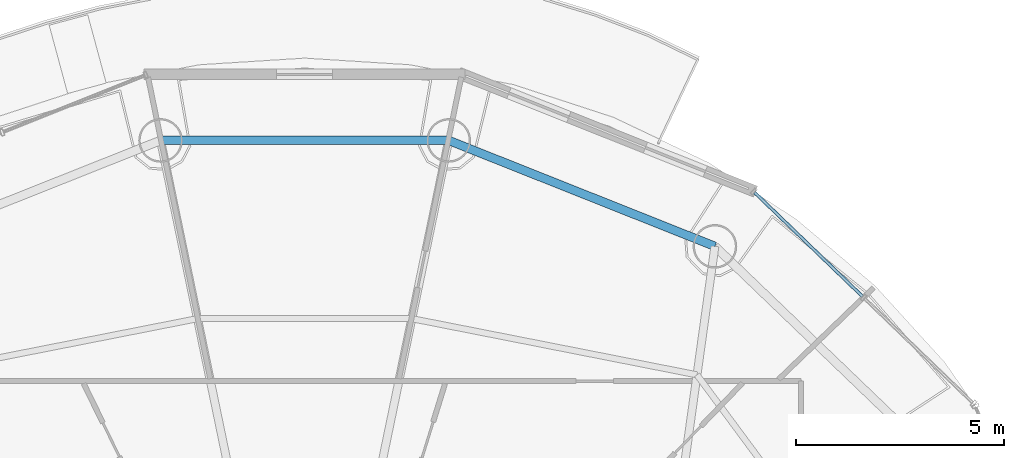
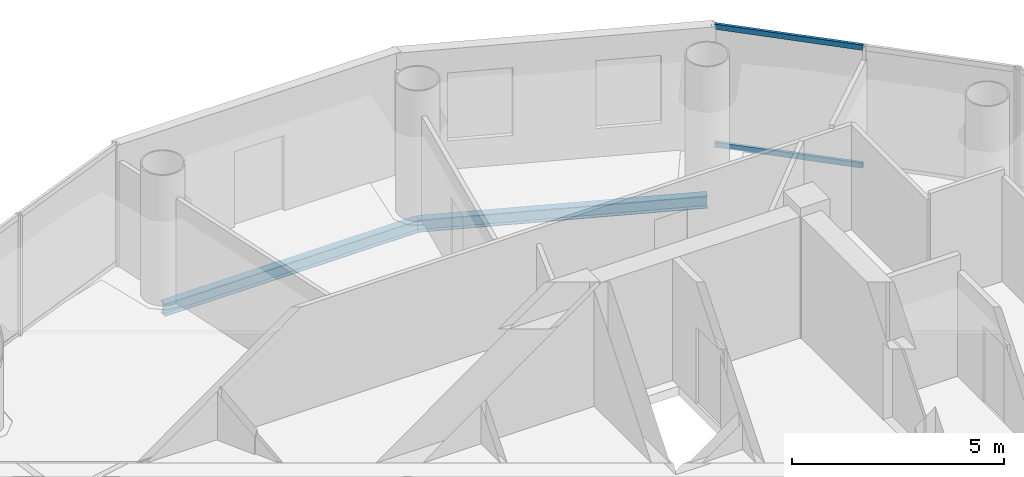
# One storey, part 15 of 24: 2 beams, 2 members, 1 element without a shape of its own.
"""IFC4 building model written with IfcOpenShell, lengths in metres."""

from ifc_helpers import new_model, si_unit, direction, frame, origin, origin_2d, place, context, subcontext, project, spatial, hollow_rectangle, i_section, extrude, source, transform, mapped, material, material_profile, profile_set, type_object, element, aggregate, save


model = new_model("IFC4")

# Units and contexts
model_context = context("Model", 3, precision=1e-05, world=origin(), true_north=direction((-0.2419218956, 0.970295726276)))
body_context = subcontext(model_context, "Body", "Model", "MODEL_VIEW")
ifc_project = project(units=[si_unit("LENGTHUNIT", "METRE"), si_unit("AREAUNIT", "SQUARE_METRE"), si_unit("VOLUMEUNIT", "CUBIC_METRE"), si_unit("PLANEANGLEUNIT", "RADIAN"), si_unit("MASSUNIT", "GRAM", prefix="KILO")], contexts=[model_context])

# Site, building, storey
site_placement = place(None, origin())
site = spatial("IfcSite", under=ifc_project, at=site_placement, CompositionType="ELEMENT")
building_placement = place(site_placement, origin())
building = spatial("IfcBuilding", under=site, at=building_placement, Name="Cobrevalo Terracotta Tower", CompositionType="ELEMENT")
storey_placement = place(building_placement, frame((0.0, 0.0, 270.699951171875)))
storey = spatial("IfcBuildingStorey", under=building, at=storey_placement, Name="L71", CompositionType="ELEMENT", Elevation=270.699951171875)

# Beams
ifc_material_1 = material(Name="Steel S355", Category="steel")
ifc_material_profile_1 = material_profile(ifc_material_1, i_section(OverallWidth=0.205078125, OverallDepth=0.35400390625, WebThickness=0.009521484375, FlangeThickness=0.016845703125, at=origin_2d()), Name="W 360x79")
ifc_profile_set_1 = profile_set([ifc_material_profile_1], Name="Steel S355")
beam_type = type_object("IfcBeamType", Name="Structural Spandrel W 360x79 (Steel S355)", PredefinedType="SPANDREL", material=ifc_profile_set_1)
beam_1_placement = place(storey_placement, frame((47.861328125, 40.9765625, -0.43701171875), z_axis=(-0.929149986048, 0.369702993533, 0.0), x_axis=(-0.369702993533, -0.929149986048, 0.0)))
element("IfcBeam", 1, at=beam_1_placement, inside=storey, type_object=beam_type, Name="L71 perimeter ring spandrel 03", PredefinedType="SPANDREL", context=body_context, shape_type="SweptSolid", body=[
    extrude(i_section(OverallWidth=0.205078125, OverallDepth=0.35400390625, WebThickness=0.009521484375, FlangeThickness=0.016845703125, at=origin_2d()), origin(), (0.0, 0.0, 1.0), 6.88623046875),
])
beam_2_placement = place(storey_placement, frame((41.462890625, 43.5224609375, -0.43701171875), z_axis=(-1.0, 0.0, 0.0), x_axis=(0.0, -1.0, 0.0)))
element("IfcBeam", 2, at=beam_2_placement, inside=storey, type_object=beam_type, Name="L71 perimeter ring spandrel 04", PredefinedType="SPANDREL", context=body_context, shape_type="SweptSolid", body=[
    extrude(i_section(OverallWidth=0.205078125, OverallDepth=0.35400390625, WebThickness=0.009521484375, FlangeThickness=0.016845703125, at=origin_2d()), origin(), (0.0, 0.0, 1.0), 6.92578125),
])

# Curtain wall, members
ifc_material_2 = material(Name="Anodized aluminium", Category="aluminium")
curtain_wall_type = type_object("IfcCurtainWallType", Name="Upper-tower triple-glazed penthouse curtain wall CW-U3", PredefinedType="NOTDEFINED", material=ifc_material_2)
curtain_wall_placement = place(storey_placement, origin())
curtain_wall = element("IfcCurtainWall", 3, at=curtain_wall_placement, inside=storey, type_object=curtain_wall_type, Name="L71 curtain wall CW-L71-S02", PredefinedType="NOTDEFINED")
ifc_material_profile_2 = material_profile(ifc_material_2, hollow_rectangle(XDim=0.074951171875, YDim=0.14990234375, WallThickness=0.00439453125, at=origin_2d()), Name="CWT 75x150")
ifc_profile_set_2 = profile_set([ifc_material_profile_2], Name="Anodized aluminium")
member_type = type_object("IfcMemberType", Name="Tower unitised aluminium transom 75x150", PredefinedType="USERDEFINED", material=ifc_profile_set_2)
shared_shape = source(origin(), body_context, "Body", "SweptSolid", [
    extrude(hollow_rectangle(XDim=0.074951171875, YDim=0.14990234375, WallThickness=0.00439453125, at=origin_2d()), origin(), (0.0, 0.0, 1.0), 3.59130859375),
])
member_1_placement = place(storey_placement, frame((51.40478515625, 39.77587890625, 0.050048828125), z_axis=(-0.720005628362, 0.693968223427, 0.0), x_axis=(-0.693968223427, -0.720005628362, 0.0)))
member_1 = element("IfcMember", 4, at=member_1_placement, type_object=member_type, Name="CW-L71-S02 transom B02-T1", ObjectType="TRANSOM", PredefinedType="USERDEFINED", context=body_context, shape_type="MappedRepresentation", body=[
    mapped(shared_shape, transform((0.0, 0.0, 0.0), scale=1.0)),
])
member_2_placement = place(storey_placement, frame((51.40478515625, 39.77587890625, 3.43994140625), z_axis=(-0.720005628362, 0.693968223427, 0.0), x_axis=(-0.693968223427, -0.720005628362, 0.0)))
member_2 = element("IfcMember", 5, at=member_2_placement, type_object=member_type, Name="CW-L71-S02 transom B02-T2", ObjectType="TRANSOM", PredefinedType="USERDEFINED", context=body_context, shape_type="MappedRepresentation", body=[
    mapped(shared_shape, transform((0.0, 0.0, 0.0), scale=1.0)),
])
aggregate(curtain_wall, [member_1, member_2])

save(model, "model.ifc")
